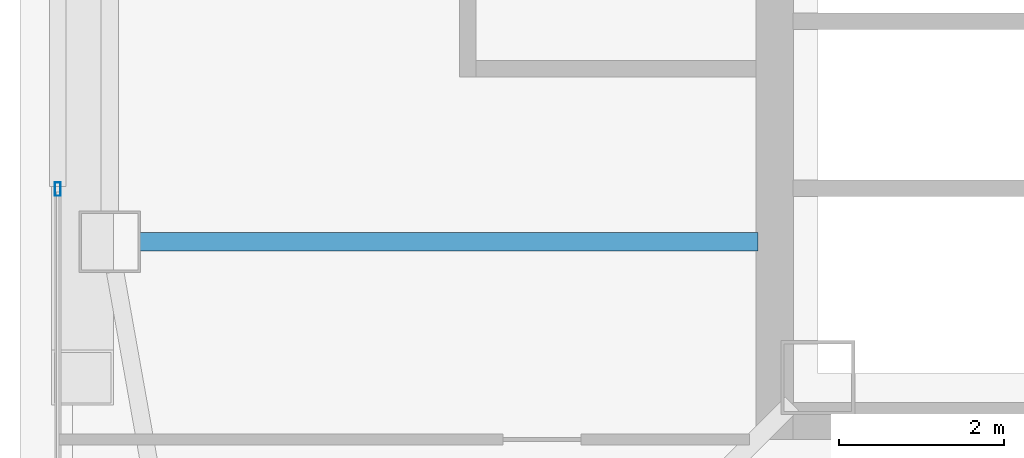
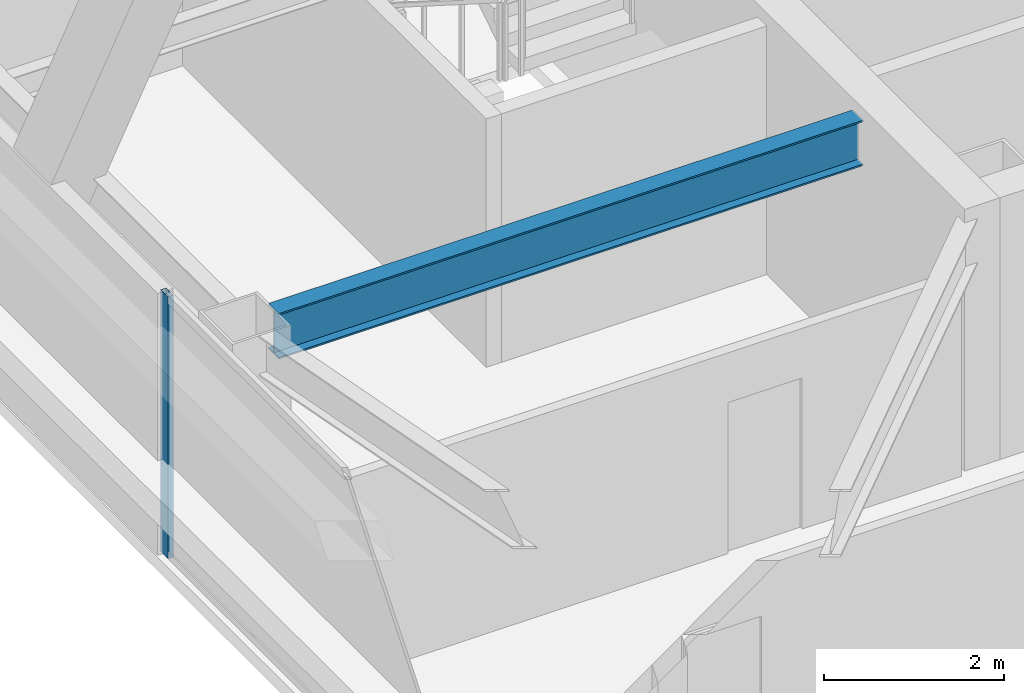
# One storey, part 5 of 47: 1 beam, 1 member, 1 element without a shape of its own.
"""IFC4 building model written with IfcOpenShell, lengths in metres."""

from ifc_helpers import new_model, si_unit, direction, frame, origin, origin_2d, place, context, subcontext, project, spatial, hollow_rectangle, i_section, extrude, material, material_profile, profile_set, type_object, element, aggregate, save


model = new_model("IFC4")

# Units and contexts
model_context = context("Model", 3, precision=1e-05, world=origin(), true_north=direction((0.0, 1.0)))
body_context = subcontext(model_context, "Body", "Model", "MODEL_VIEW")
ifc_project = project(units=[si_unit("LENGTHUNIT", "METRE"), si_unit("AREAUNIT", "SQUARE_METRE"), si_unit("VOLUMEUNIT", "CUBIC_METRE"), si_unit("PLANEANGLEUNIT", "RADIAN"), si_unit("MASSUNIT", "GRAM", prefix="KILO")], contexts=[model_context])

# Site, building, storey
site_placement = place(None, origin())
site = spatial("IfcSite", under=ifc_project, at=site_placement, CompositionType="ELEMENT")
building_placement = place(site_placement, origin())
building = spatial("IfcBuilding", under=site, at=building_placement, Name="Tashvorn Skyway Center", CompositionType="ELEMENT")
storey_placement = place(building_placement, frame((0.0, 0.0, 204.199951171875)))
storey = spatial("IfcBuildingStorey", under=building, at=storey_placement, Name="L55", CompositionType="ELEMENT", Elevation=204.199951171875)

# Beam
ifc_material_1 = material(Name="Steel ASTM A992 Grade 50", Category="steel")
ifc_material_profile_1 = material_profile(ifc_material_1, i_section(OverallWidth=0.22998046875, OverallDepth=0.616943359375, WebThickness=0.01318359375, FlangeThickness=0.022216796875, at=origin_2d()), Name="W24X94")
ifc_profile_set_1 = profile_set([ifc_material_profile_1], Name="Steel ASTM A992 Grade 50")
beam_type = type_object("IfcBeamType", Name="BM-BEAM-W24X94", PredefinedType="BEAM", material=ifc_profile_set_1)
beam_placement = place(storey_placement, frame((26.719970703125, 26.60009765625, 3.0615234375), z_axis=(1.0, 0.0, 0.0), x_axis=(0.0, 1.0, 0.0)))
element("IfcBeam", 1, at=beam_placement, inside=storey, type_object=beam_type, Name="Tower 1 L55 Primary Floor Girder FC-W2", PredefinedType="BEAM", context=body_context, shape_type="SweptSolid", body=[
    extrude(i_section(OverallWidth=0.22998046875, OverallDepth=0.616943359375, WebThickness=0.01318359375, FlangeThickness=0.022216796875, at=origin_2d()), origin(), (0.0, 0.0, 1.0), 7.5),
])

# Curtain wall, member
ifc_material_2 = material(Name="Thermally broken bronze-anodized aluminium 6063-T6", Category="aluminium")
curtain_wall_type = type_object("IfcCurtainWallType", Name="CW-CW-Z5", PredefinedType="NOTDEFINED", material=ifc_material_2)
curtain_wall_placement = place(storey_placement, origin())
curtain_wall = element("IfcCurtainWall", 2, at=curtain_wall_placement, inside=storey, type_object=curtain_wall_type, Name="Tower 1 L55 West Unitised Curtain Wall Glazing Group 1", PredefinedType="NOTDEFINED")
ifc_material_profile_2 = material_profile(ifc_material_2, hollow_rectangle(XDim=0.070068359375, YDim=0.1650390625, WallThickness=0.00390625, at=origin_2d()), Name="ALU-MULL-70x165")
ifc_profile_set_2 = profile_set([ifc_material_profile_2], Name="Thermally broken bronze-anodized aluminium 6063-T6")
member_type = type_object("IfcMemberType", Name="CWM-CW-Z5", PredefinedType="MULLION", material=ifc_profile_set_2)
member_placement = place(storey_placement, frame((25.719970703125, 27.23828125, 0.0), z_axis=(0.0, 0.0, 1.0), x_axis=(-1.0, 0.0, 0.0)))
member = element("IfcMember", 3, at=member_placement, type_object=member_type, Name="CW-Z5 mullion 2", PredefinedType="MULLION", context=body_context, shape_type="SweptSolid", body=[
    extrude(hollow_rectangle(XDim=0.070068359375, YDim=0.1650390625, WallThickness=0.00390625, at=origin_2d()), origin(), (0.0, 0.0, 1.0), 3.550048828125),
])
aggregate(curtain_wall, [member])

save(model, "model.ifc")
